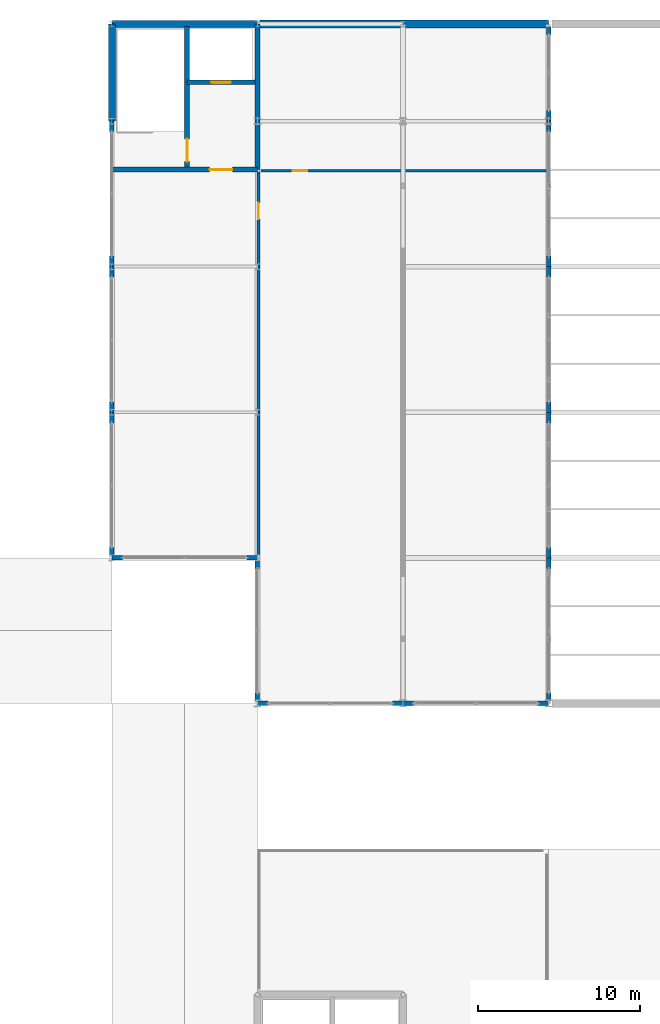
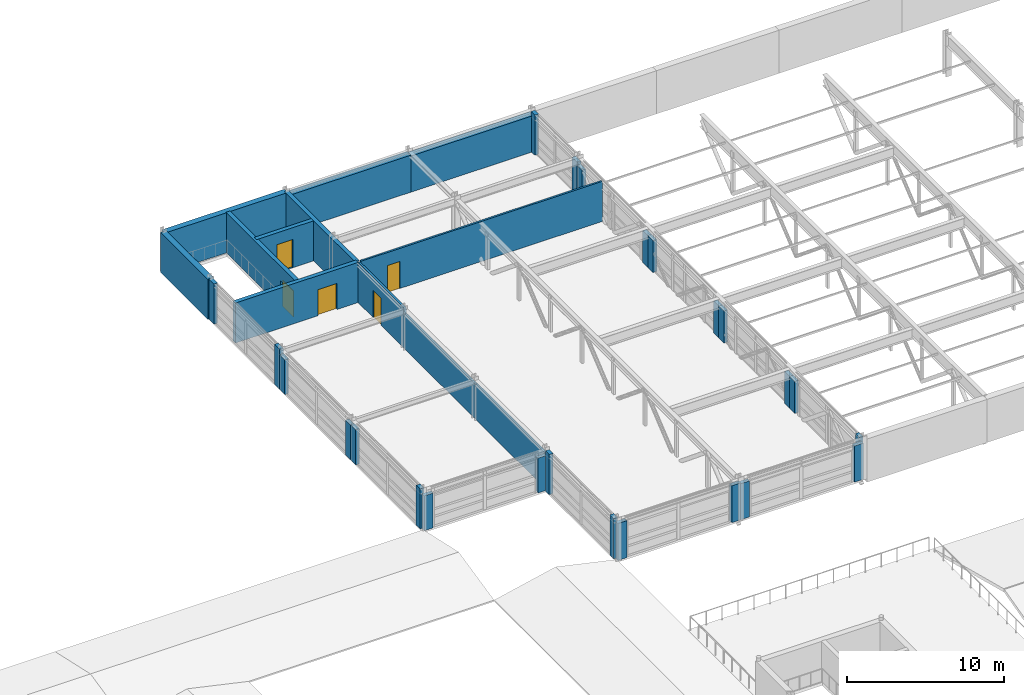
# One storey, part 78 of 91: 36 walls, 5 doors, 5 openings.
"""IFC4 building model written with IfcOpenShell, lengths in metres."""

from ifc_helpers import new_model, si_unit, direction, frame, frame_2d, origin, place, context, subcontext, project, spatial, rectangle, extrude, material, layer, layer_set, type_object, element, fill, save


model = new_model("IFC4")

# Units and contexts
model_context = context("Model", 3, precision=1e-05, world=origin(), true_north=direction((0.0, 1.0)))
body_context = subcontext(model_context, "Body", "Model", "MODEL_VIEW")
ifc_project = project(units=[si_unit("LENGTHUNIT", "METRE"), si_unit("AREAUNIT", "SQUARE_METRE"), si_unit("VOLUMEUNIT", "CUBIC_METRE"), si_unit("PLANEANGLEUNIT", "RADIAN"), si_unit("MASSUNIT", "GRAM", prefix="KILO")], contexts=[model_context])

# Site, building, storey
site_placement = place(None, origin())
site = spatial("IfcSite", under=ifc_project, at=site_placement, CompositionType="ELEMENT")
building_placement = place(site_placement, origin())
building = spatial("IfcBuilding", under=site, at=building_placement, Name="Palais des Congres Ocreval", CompositionType="ELEMENT")
storey_placement = place(building_placement, frame((0.0, 0.0, 8.159912109375)))
storey = spatial("IfcBuildingStorey", under=building, at=storey_placement, Name="L02", CompositionType="ELEMENT", Elevation=8.159912109375)

# Walls
ifc_material_1 = material(Name="Concrete C40/50", Category="concrete")
ifc_layer_1 = layer(ifc_material_1, 0.5)
ifc_layer_set_1 = layer_set([ifc_layer_1], Name="Acoustic Ballroom Wall 500 Concrete C40/50")
wall_type_1 = type_object("IfcWallType", Name="Acoustic Ballroom Wall 500 Concrete C40/50", PredefinedType="SOLIDWALL", material=ifc_layer_set_1)
wall_1_placement = place(storey_placement, frame((108.1298828125, 114.0, 0.0), z_axis=(0.0, 0.0, 1.0), x_axis=(1.0, 0.0, 0.0)))
element("IfcWall", 1, at=wall_1_placement, inside=storey, type_object=wall_type_1, Name="Exterior Wall EW01 L02", PredefinedType="SOLIDWALL", context=body_context, shape_type="SweptSolid", body=[
    extrude(rectangle(XDim=8.8701171875, YDim=0.5, at=frame_2d((4.43505859375, 0.0))), origin(), (0.0, 0.0, 1.0), 2.8701171875),
])
wall_2_placement = place(storey_placement, frame((117.0, 114.0, 0.0), z_axis=(0.0, 0.0, 1.0), x_axis=(1.0, 0.0, 0.0)))
element("IfcWall", 2, at=wall_2_placement, inside=storey, type_object=wall_type_1, Name="Exterior Wall EW01 L02", PredefinedType="SOLIDWALL", context=body_context, shape_type="SweptSolid", body=[
    extrude(rectangle(XDim=9.0, YDim=0.5, at=frame_2d((4.5, 0.0))), origin(), (0.0, 0.0, 1.0), 2.800048828125),
])

# Wall, opening, door
ifc_material_2 = material(Name="Moisture-resistant gypsum board")
ifc_layer_2 = layer(ifc_material_2, 0.139892578125)
ifc_layer_set_2 = layer_set([ifc_layer_2], Name="Bathroom Plumbing Chase Wall 140 Gypsum (Moisture-resistant gypsum board)")
wall_type_2 = type_object("IfcWallType", Name="Bathroom Plumbing Chase Wall 140 Gypsum", PredefinedType="PLUMBINGWALL", material=ifc_layer_set_2)
wall_3_placement = place(storey_placement, frame((108.219970703125, 104.93505859375, 0.0), z_axis=(0.0, 0.0, 1.0), x_axis=(1.0, 0.0, 0.0)))
wall_3 = element("IfcWall", 3, at=wall_3_placement, inside=storey, type_object=wall_type_2, Name="Interior Partition PW03 L02", PredefinedType="PLUMBINGWALL", context=body_context, shape_type="SweptSolid", body=[
    extrude(rectangle(XDim=17.68505859375, YDim=0.139892578125, at=frame_2d((8.842529296875, 0.0))), origin(), (0.0, 0.0, 1.0), 3.110107421875),
])
opening_1_placement = place(wall_3_placement, frame((1.949951171875, 0.0, 0.0)))
opening_1 = element("IfcOpeningElement", 4, at=opening_1_placement, cuts=wall_3, Name="Opening D09", PredefinedType="OPENING", context=body_context, shape_type="SweptSolid", body=[
    extrude(rectangle(XDim=0.89990234375, YDim=2.10009765625, at=frame_2d((0.449951171875, 1.050048828125))), frame((0.0, 0.079833984375, 0.0), z_axis=(0.0, -1.0, 0.0), x_axis=(1.0, 0.0, 0.0)), (0.0, 0.0, 1.0), 0.159912109375),
])
ifc_material_3 = material(Name="Solid French oak", Category="wood")
door_type_1 = type_object("IfcDoorType", Name="Accessible Restroom Door 900x2100", OperationType="NOTDEFINED", PredefinedType="DOOR", material=ifc_material_3)
door_1_placement = place(opening_1_placement, origin())
door_1 = element("IfcDoor", 5, at=door_1_placement, inside=storey, type_object=door_type_1, Name="Interior Door D09 L02", OperationType="SINGLE_SWING_RIGHT", OverallHeight=2.10009765625, OverallWidth=0.89990234375, PredefinedType="DOOR", context=body_context, shape_type="SweptSolid", body=[
    extrude(rectangle(XDim=0.89990234375, YDim=2.10009765625, at=frame_2d((0.449951171875, 1.050048828125))), frame((0.0, 0.02490234375, 0.0), z_axis=(0.0, -1.0, 0.0), x_axis=(1.0, 0.0, 0.0)), (0.0, 0.0, 1.0), 0.050048828125),
])
fill(opening_1, door_1)

# Walls
ifc_layer_3 = layer(ifc_material_1, 0.419921875)
ifc_layer_set_3 = layer_set([ifc_layer_3], Name="Congress Stone Facade Wall 420 Concrete C40/50")
wall_type_3 = type_object("IfcWallType", Name="Congress Stone Facade Wall 420 Concrete C40/50", PredefinedType="SOLIDWALL", material=ifc_layer_set_3)
wall_4_placement = place(storey_placement, frame((99.0, 108.0, 0.0), z_axis=(0.0, 0.0, 1.0), x_axis=(0.0, 1.0, 0.0)))
element("IfcWall", 6, at=wall_4_placement, inside=storey, type_object=wall_type_3, Name="Core Perimeter Shear Wall EW02 SC07 L02", PredefinedType="SOLIDWALL", context=body_context, shape_type="SweptSolid", body=[
    extrude(rectangle(XDim=6.0, YDim=0.419921875, at=frame_2d((3.0, 0.0))), origin(), (0.0, 0.0, 1.0), 3.110107421875),
])
wall_5_placement = place(storey_placement, frame((99.0, 114.0, 0.0), z_axis=(0.0, 0.0, 1.0), x_axis=(1.0, 0.0, 0.0)))
element("IfcWall", 7, at=wall_5_placement, inside=storey, type_object=wall_type_3, Name="Core Perimeter Shear Wall EW02 SC07 L02", PredefinedType="SOLIDWALL", context=body_context, shape_type="SweptSolid", body=[
    extrude(rectangle(XDim=9.0, YDim=0.419921875, at=frame_2d((4.5, 0.0))), origin(), (0.0, 0.0, 1.0), 3.110107421875),
])

# Wall, opening, door
ifc_layer_4 = layer(ifc_material_1, 0.300048828125)
ifc_layer_set_4 = layer_set([ifc_layer_4], Name="Core Shear Wall 300 Concrete C40/50")
wall_type_4 = type_object("IfcWallType", Name="Core Shear Wall 300 Concrete C40/50", PredefinedType="SHEAR", material=ifc_layer_set_4)
wall_6_placement = place(storey_placement, frame((99.0, 105.0, 0.0), z_axis=(0.0, 0.0, 1.0), x_axis=(1.0, 0.0, 0.0)))
wall_6 = element("IfcWall", 8, at=wall_6_placement, inside=storey, type_object=wall_type_4, Name="Core Shear Wall SC07 L02 S", PredefinedType="SHEAR", context=body_context, shape_type="SweptSolid", body=[
    extrude(rectangle(XDim=9.0, YDim=0.300048828125, at=frame_2d((4.5, 0.0))), origin(), (0.0, 0.0, 1.0), 3.110107421875),
])
opening_2_placement = place(wall_6_placement, frame((6.050048828125, 0.0, 0.0)))
opening_2 = element("IfcOpeningElement", 9, at=opening_2_placement, cuts=wall_6, Name="Opening D03", PredefinedType="OPENING", context=body_context, shape_type="SweptSolid", body=[
    extrude(rectangle(XDim=1.39990234375, YDim=2.02001953125, at=frame_2d((0.699951171875, 1.010009765625))), frame((0.0, 0.159912109375, 0.0), z_axis=(0.0, -1.0, 0.0), x_axis=(1.0, 0.0, 0.0)), (0.0, 0.0, 1.0), 0.320068359375),
])
ifc_material_4 = material(Name="Painted fire-rated steel", Category="steel")
door_type_2 = type_object("IfcDoorType", Name="Core Lobby Rated Door 1400x2020", OperationType="NOTDEFINED", PredefinedType="DOOR", material=ifc_material_4)
door_2_placement = place(opening_2_placement, origin())
door_2 = element("IfcDoor", 10, at=door_2_placement, inside=storey, type_object=door_type_2, Name="Lobby Entrance Door SC07 L02", OperationType="DOUBLE_DOOR_SINGLE_SWING", OverallHeight=2.02001953125, OverallWidth=1.39990234375, PredefinedType="DOOR", context=body_context, shape_type="SweptSolid", body=[
    extrude(rectangle(XDim=1.39990234375, YDim=2.02001953125, at=frame_2d((0.699951171875, 1.010009765625))), frame((0.0, 0.02490234375, 0.0), z_axis=(0.0, -1.0, 0.0), x_axis=(1.0, 0.0, 0.0)), (0.0, 0.0, 1.0), 0.050048828125),
])
fill(opening_2, door_2)

# Wall
wall_7_placement = place(storey_placement, frame((108.0, 105.0, 0.0), z_axis=(0.0, 0.0, 1.0), x_axis=(0.0, 1.0, 0.0)))
element("IfcWall", 11, at=wall_7_placement, inside=storey, type_object=wall_type_4, Name="Core Shear Wall SC07 L02 E", PredefinedType="SHEAR", context=body_context, shape_type="SweptSolid", body=[
    extrude(rectangle(XDim=9.0, YDim=0.300048828125, at=frame_2d((4.5, 0.0))), origin(), (0.0, 0.0, 1.0), 3.110107421875),
])

# Wall, opening, door
wall_8_placement = place(storey_placement, frame((103.64990234375, 105.14990234375, 0.0), z_axis=(0.0, 0.0, 1.0), x_axis=(0.0, 1.0, 0.0)))
wall_8 = element("IfcWall", 12, at=wall_8_placement, inside=storey, type_object=wall_type_4, Name="Core Spine Shear Wall SC07 L02", PredefinedType="SHEAR", context=body_context, shape_type="SweptSolid", body=[
    extrude(rectangle(XDim=8.7001953125, YDim=0.300048828125, at=frame_2d((4.35009765625, 0.0))), origin(), (0.0, 0.0, 1.0), 3.110107421875),
])
opening_3_placement = place(wall_8_placement, frame((0.35009765625, 0.0, 0.0)))
opening_3 = element("IfcOpeningElement", 13, at=opening_3_placement, cuts=wall_8, Name="Opening D03", PredefinedType="OPENING", context=body_context, shape_type="SweptSolid", body=[
    extrude(rectangle(XDim=1.39990234375, YDim=2.02001953125, at=frame_2d((0.699951171875, 1.010009765625))), frame((0.0, 0.159912109375, 0.0), z_axis=(0.0, -1.0, 0.0), x_axis=(1.0, 0.0, 0.0)), (0.0, 0.0, 1.0), 0.320068359375),
])
door_3_placement = place(opening_3_placement, origin())
door_3 = element("IfcDoor", 14, at=door_3_placement, inside=storey, type_object=door_type_2, Name="Protected Exit Stair Door ST07 L02", OperationType="SINGLE_SWING_LEFT", OverallHeight=2.02001953125, OverallWidth=1.39990234375, PredefinedType="DOOR", context=body_context, shape_type="SweptSolid", body=[
    extrude(rectangle(XDim=1.39990234375, YDim=2.02001953125, at=frame_2d((0.699951171875, 1.010009765625))), frame((0.0, 0.02490234375, 0.0), z_axis=(0.0, -1.0, 0.0), x_axis=(1.0, 0.0, 0.0)), (0.0, 0.0, 1.0), 0.050048828125),
])
fill(opening_3, door_3)

wall_9_placement = place(storey_placement, frame((103.64990234375, 110.39990234375, 0.0), z_axis=(0.0, 0.0, 1.0), x_axis=(1.0, 0.0, 0.0)))
wall_9 = element("IfcWall", 15, at=wall_9_placement, inside=storey, type_object=wall_type_4, Name="Lift Shaft Front Wall SC07 L02", PredefinedType="SHEAR", context=body_context, shape_type="SweptSolid", body=[
    extrude(rectangle(XDim=4.2001953125, YDim=0.300048828125, at=frame_2d((2.10009765625, 0.0))), origin(), (0.0, 0.0, 1.0), 3.110107421875),
])
opening_4_placement = place(wall_9_placement, frame((1.5, 0.0, 0.0)))
opening_4 = element("IfcOpeningElement", 16, at=opening_4_placement, cuts=wall_9, Name="Opening LD02", PredefinedType="OPENING", context=body_context, shape_type="SweptSolid", body=[
    extrude(rectangle(XDim=1.199951171875, YDim=2.199951171875, at=frame_2d((0.60009765625, 1.10009765625))), frame((0.0, 0.159912109375, 0.0), z_axis=(0.0, -1.0, 0.0), x_axis=(1.0, 0.0, 0.0)), (0.0, 0.0, 1.0), 0.320068359375),
])
ifc_material_5 = material(Name="Anodized bronze steel", Category="steel")
door_type_3 = type_object("IfcDoorType", Name="Passenger and Service Lift Sliding Door 1200x2200", OperationType="NOTDEFINED", PredefinedType="DOOR", material=ifc_material_5)
door_4_placement = place(opening_4_placement, origin())
door_4 = element("IfcDoor", 17, at=door_4_placement, inside=storey, type_object=door_type_3, Name="Lift Landing Sliding Door CL2 L02", OperationType="DOUBLE_DOOR_SLIDING", OverallHeight=2.199951171875, OverallWidth=1.199951171875, PredefinedType="DOOR", context=body_context, shape_type="SweptSolid", body=[
    extrude(rectangle(XDim=1.199951171875, YDim=2.199951171875, at=frame_2d((0.60009765625, 1.10009765625))), frame((0.0, 0.02490234375, 0.0), z_axis=(0.0, -1.0, 0.0), x_axis=(1.0, 0.0, 0.0)), (0.0, 0.0, 1.0), 0.050048828125),
])
fill(opening_4, door_4)

# Walls
ifc_material_6 = material(Name="Gypsum acoustic partition")
ifc_layer_5 = layer(ifc_material_6, 0.159912109375)
ifc_layer_set_5 = layer_set([ifc_layer_5], Name="Corridor Fire Partition 160 Gypsum (Gypsum acoustic partition)")
wall_type_5 = type_object("IfcWallType", Name="Corridor Fire Partition 160 Gypsum", PredefinedType="PARTITIONING", material=ifc_layer_set_5)
wall_10_placement = place(storey_placement, frame((108.06494140625, 81.14501953125, 0.0), z_axis=(0.0, 0.0, 1.0), x_axis=(0.0, 1.0, 0.0)))
element("IfcWall", 18, at=wall_10_placement, inside=storey, type_object=wall_type_5, Name="Interior Partition IW03 L02", PredefinedType="PARTITIONING", context=body_context, shape_type="SweptSolid", body=[
    extrude(rectangle(XDim=8.8349609375, YDim=0.159912109375, at=frame_2d((4.41748046875, 0.0))), origin(), (0.0, 0.0, 1.0), 2.739990234375),
])
wall_11_placement = place(storey_placement, frame((108.06494140625, 89.97998046875, 0.0), z_axis=(0.0, 0.0, 1.0), x_axis=(0.0, 1.0, 0.0)))
element("IfcWall", 19, at=wall_11_placement, inside=storey, type_object=wall_type_5, Name="Interior Partition IW03 L02", PredefinedType="PARTITIONING", context=body_context, shape_type="SweptSolid", body=[
    extrude(rectangle(XDim=9.0, YDim=0.159912109375, at=frame_2d((4.5, 0.0))), origin(), (0.0, 0.0, 1.0), 2.7001953125),
])

# Wall, opening, door
wall_12_placement = place(storey_placement, frame((108.06494140625, 98.97998046875, 0.0), z_axis=(0.0, 0.0, 1.0), x_axis=(0.0, 1.0, 0.0)))
wall_12 = element("IfcWall", 20, at=wall_12_placement, inside=storey, type_object=wall_type_5, Name="Interior Partition IW03 L02", PredefinedType="PARTITIONING", context=body_context, shape_type="SweptSolid", body=[
    extrude(rectangle(XDim=5.864990234375, YDim=0.159912109375, at=frame_2d((2.9326171875, 0.0))), origin(), (0.0, 0.0, 1.0), 3.110107421875),
])
opening_5_placement = place(wall_12_placement, frame((2.965087890625, 0.0, 0.0)))
opening_5 = element("IfcOpeningElement", 21, at=opening_5_placement, cuts=wall_12, Name="Opening D10", PredefinedType="OPENING", context=body_context, shape_type="SweptSolid", body=[
    extrude(rectangle(XDim=1.0, YDim=2.10009765625, at=frame_2d((0.5, 1.050048828125))), frame((0.0, 0.08984375, 0.0), z_axis=(0.0, -1.0, 0.0), x_axis=(1.0, 0.0, 0.0)), (0.0, 0.0, 1.0), 0.179931640625),
])
ifc_material_7 = material(Name="Painted steel", Category="steel")
door_type_4 = type_object("IfcDoorType", Name="Service and Pantry Door 1000x2100", OperationType="NOTDEFINED", PredefinedType="DOOR", material=ifc_material_7)
door_5_placement = place(opening_5_placement, origin())
door_5 = element("IfcDoor", 22, at=door_5_placement, inside=storey, type_object=door_type_4, Name="Interior Door D10 L02", OperationType="SINGLE_SWING_LEFT", OverallHeight=2.10009765625, OverallWidth=1.0, PredefinedType="DOOR", context=body_context, shape_type="SweptSolid", body=[
    extrude(rectangle(XDim=1.0, YDim=2.10009765625, at=frame_2d((0.5, 1.050048828125))), frame((0.0, 0.02490234375, 0.0), z_axis=(0.0, -1.0, 0.0), x_axis=(1.0, 0.0, 0.0)), (0.0, 0.0, 1.0), 0.050048828125),
])
fill(opening_5, door_5)

# Walls
ifc_layer_6 = layer(ifc_material_1, 0.280029296875)
ifc_layer_set_6 = layer_set([ifc_layer_6], Name="Terracotta Mineral-Lime Facade Wall 280 Concrete C40/50")
wall_type_6 = type_object("IfcWallType", Name="Terracotta Mineral-Lime Facade Wall 280 Concrete C40/50", PredefinedType="SOLIDWALL", material=ifc_layer_set_6)
for number, where, z_axis, x_axis, name in (
    (23, (108.0, 72.155029296875, 0.0), (0.0, 0.0, 1.0), (0.0, 1.0, 0.0), "Facade Pier EW05 L02"),
    (24, (108.0, 80.35009765625, 0.0), (0.0, 0.0, 1.0), (0.0, 1.0, 0.0), "Facade Pier EW05 L02"),
):
    element("IfcWall", number, at=place(storey_placement, frame(where, z_axis=z_axis, x_axis=x_axis)), inside=storey, type_object=wall_type_6, Name=name, PredefinedType="SOLIDWALL", context=body_context, shape_type="SweptSolid", body=[
        extrude(rectangle(XDim=0.494873046875, YDim=0.280029296875, at=frame_2d((0.24755859375, 0.0))), origin(), (0.0, 0.0, 1.0), 3.110107421875),
    ])
for number, where, z_axis, x_axis, name in (
    (25, (108.0, 81.0, 0.0), (0.0, 0.0, 1.0), (-1.0, 0.0, 0.0), "Facade Pier EW05 L02"),
    (26, (99.64990234375, 81.0, 0.0), (0.0, 0.0, 1.0), (-1.0, 0.0, 0.0), "Facade Pier EW05 L02"),
):
    element("IfcWall", number, at=place(storey_placement, frame(where, z_axis=z_axis, x_axis=x_axis)), inside=storey, type_object=wall_type_6, Name=name, PredefinedType="SOLIDWALL", context=body_context, shape_type="SweptSolid", body=[
        extrude(rectangle(XDim=0.64990234375, YDim=0.280029296875, at=frame_2d((0.324951171875, 0.0))), origin(), (0.0, 0.0, 1.0), 2.7001953125),
    ])
wall_13_placement = place(storey_placement, frame((99.0, 81.155029296875, 0.0), z_axis=(0.0, 0.0, 1.0), x_axis=(0.0, 1.0, 0.0)))
element("IfcWall", 27, at=wall_13_placement, inside=storey, type_object=wall_type_6, Name="Facade Pier EW05 L02", PredefinedType="SOLIDWALL", context=body_context, shape_type="SweptSolid", body=[
    extrude(rectangle(XDim=0.494873046875, YDim=0.280029296875, at=frame_2d((0.24755859375, 0.0))), origin(), (0.0, 0.0, 1.0), 3.110107421875),
])
wall_14_placement = place(storey_placement, frame((99.0, 89.35009765625, 0.0), z_axis=(0.0, 0.0, 1.0), x_axis=(0.0, 1.0, 0.0)))
element("IfcWall", 28, at=wall_14_placement, inside=storey, type_object=wall_type_6, Name="Facade Pier EW05 L02", PredefinedType="SOLIDWALL", context=body_context, shape_type="SweptSolid", body=[
    extrude(rectangle(XDim=0.64990234375, YDim=0.280029296875, at=frame_2d((0.324951171875, 0.0))), origin(), (0.0, 0.0, 1.0), 2.739990234375),
])
for number, where, z_axis, x_axis, name in (
    (29, (99.0, 90.0, 0.0), (0.0, 0.0, 1.0), (0.0, 1.0, 0.0), "Facade Pier EW05 L02"),
    (30, (99.0, 98.35009765625, 0.0), (0.0, 0.0, 1.0), (0.0, 1.0, 0.0), "Facade Pier EW05 L02"),
):
    element("IfcWall", number, at=place(storey_placement, frame(where, z_axis=z_axis, x_axis=x_axis)), inside=storey, type_object=wall_type_6, Name=name, PredefinedType="SOLIDWALL", context=body_context, shape_type="SweptSolid", body=[
        extrude(rectangle(XDim=0.64990234375, YDim=0.280029296875, at=frame_2d((0.324951171875, 0.0))), origin(), (0.0, 0.0, 1.0), 2.7001953125),
    ])
for number, where, z_axis, x_axis, name in (
    (31, (99.0, 99.0, 0.0), (0.0, 0.0, 1.0), (0.0, 1.0, 0.0), "Facade Pier EW05 L02"),
    (32, (99.0, 107.35009765625, 0.0), (0.0, 0.0, 1.0), (0.0, 1.0, 0.0), "Facade Pier EW05 L02"),
):
    element("IfcWall", number, at=place(storey_placement, frame(where, z_axis=z_axis, x_axis=x_axis)), inside=storey, type_object=wall_type_6, Name=name, PredefinedType="SOLIDWALL", context=body_context, shape_type="SweptSolid", body=[
        extrude(rectangle(XDim=0.64990234375, YDim=0.280029296875, at=frame_2d((0.324951171875, 0.0))), origin(), (0.0, 0.0, 1.0), 3.110107421875),
    ])
wall_15_placement = place(storey_placement, frame((126.0, 113.844970703125, 0.0), z_axis=(0.0, 0.0, 1.0), x_axis=(0.0, -1.0, 0.0)))
element("IfcWall", 33, at=wall_15_placement, inside=storey, type_object=wall_type_6, Name="Facade Pier EW05 L02", PredefinedType="SOLIDWALL", context=body_context, shape_type="SweptSolid", body=[
    extrude(rectangle(XDim=0.494873046875, YDim=0.280029296875, at=frame_2d((0.24755859375, 0.0))), origin(), (0.0, 0.0, 1.0), 3.110107421875),
])
wall_16_placement = place(storey_placement, frame((126.0, 108.64990234375, 0.0), z_axis=(0.0, 0.0, 1.0), x_axis=(0.0, -1.0, 0.0)))
element("IfcWall", 34, at=wall_16_placement, inside=storey, type_object=wall_type_6, Name="Facade Pier EW05 L02", PredefinedType="SOLIDWALL", context=body_context, shape_type="SweptSolid", body=[
    extrude(rectangle(XDim=0.64990234375, YDim=0.280029296875, at=frame_2d((0.324951171875, 0.0))), origin(), (0.0, 0.0, 1.0), 2.710205078125),
])
for number, where, z_axis, x_axis, name in (
    (35, (126.0, 108.0, 0.0), (0.0, 0.0, 1.0), (0.0, -1.0, 0.0), "Facade Pier EW05 L02"),
    (36, (126.0, 99.64990234375, 0.0), (0.0, 0.0, 1.0), (0.0, -1.0, 0.0), "Facade Pier EW05 L02"),
    (37, (126.0, 99.0, 0.0), (0.0, 0.0, 1.0), (0.0, -1.0, 0.0), "Facade Pier EW05 L02"),
    (38, (126.0, 90.64990234375, 0.0), (0.0, 0.0, 1.0), (0.0, -1.0, 0.0), "Facade Pier EW05 L02"),
    (39, (126.0, 90.0, 0.0), (0.0, 0.0, 1.0), (0.0, -1.0, 0.0), "Facade Pier EW05 L02"),
    (40, (126.0, 81.64990234375, 0.0), (0.0, 0.0, 1.0), (0.0, -1.0, 0.0), "Facade Pier EW05 L02"),
    (41, (126.0, 81.0, 0.0), (0.0, 0.0, 1.0), (0.0, -1.0, 0.0), "Facade Pier EW05 L02"),
):
    element("IfcWall", number, at=place(storey_placement, frame(where, z_axis=z_axis, x_axis=x_axis)), inside=storey, type_object=wall_type_6, Name=name, PredefinedType="SOLIDWALL", context=body_context, shape_type="SweptSolid", body=[
        extrude(rectangle(XDim=0.64990234375, YDim=0.280029296875, at=frame_2d((0.324951171875, 0.0))), origin(), (0.0, 0.0, 1.0), 2.47998046875),
    ])
wall_17_placement = place(storey_placement, frame((126.0, 72.64990234375, 0.0), z_axis=(0.0, 0.0, 1.0), x_axis=(0.0, -1.0, 0.0)))
element("IfcWall", 42, at=wall_17_placement, inside=storey, type_object=wall_type_6, Name="Facade Pier EW05 L02", PredefinedType="SOLIDWALL", context=body_context, shape_type="SweptSolid", body=[
    extrude(rectangle(XDim=0.494873046875, YDim=0.280029296875, at=frame_2d((0.24755859375, 0.0))), origin(), (0.0, 0.0, 1.0), 3.110107421875),
])
for number, where, z_axis, x_axis, name in (
    (43, (126.0, 72.0, 0.0), (0.0, 0.0, 1.0), (-1.0, 0.0, 0.0), "Facade Pier EW05 L02"),
    (44, (117.64990234375, 72.0, 0.0), (0.0, 0.0, 1.0), (-1.0, 0.0, 0.0), "Facade Pier EW05 L02"),
):
    element("IfcWall", number, at=place(storey_placement, frame(where, z_axis=z_axis, x_axis=x_axis)), inside=storey, type_object=wall_type_6, Name=name, PredefinedType="SOLIDWALL", context=body_context, shape_type="SweptSolid", body=[
        extrude(rectangle(XDim=0.64990234375, YDim=0.280029296875, at=frame_2d((0.324951171875, 0.0))), origin(), (0.0, 0.0, 1.0), 2.800048828125),
    ])
for number, where, z_axis, x_axis, name in (
    (45, (117.0, 72.0, 0.0), (0.0, 0.0, 1.0), (-1.0, 0.0, 0.0), "Facade Pier EW05 L02"),
    (46, (108.64990234375, 72.0, 0.0), (0.0, 0.0, 1.0), (-1.0, 0.0, 0.0), "Facade Pier EW05 L02"),
):
    element("IfcWall", number, at=place(storey_placement, frame(where, z_axis=z_axis, x_axis=x_axis)), inside=storey, type_object=wall_type_6, Name=name, PredefinedType="SOLIDWALL", context=body_context, shape_type="SweptSolid", body=[
        extrude(rectangle(XDim=0.64990234375, YDim=0.280029296875, at=frame_2d((0.324951171875, 0.0))), origin(), (0.0, 0.0, 1.0), 2.8701171875),
    ])

save(model, "model.ifc")
